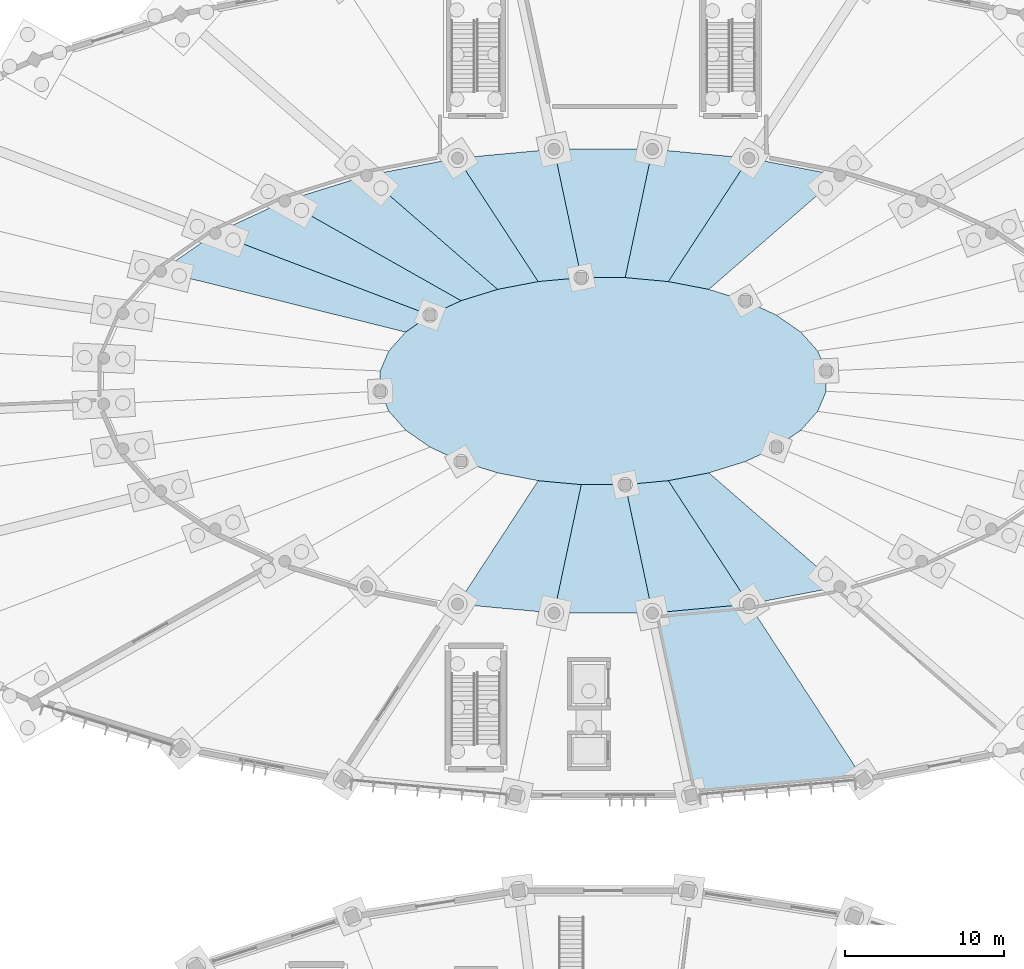
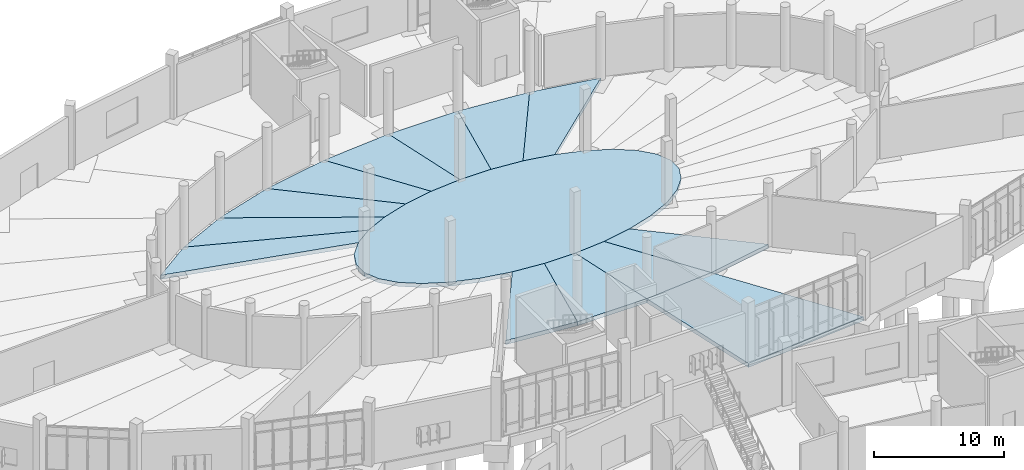
# One storey, part 62 of 140: 14 slabs.
"""IFC4 building model written with IfcOpenShell, lengths in metres."""

from ifc_helpers import new_model, si_unit, direction, frame, origin, place, context, subcontext, project, spatial, polyline, outline, extrude, material, layer, layer_set, type_object, element, save


model = new_model("IFC4")

# Units and contexts
model_context = context("Model", 3, precision=1e-05, world=origin(), true_north=direction((0.0, 1.0)))
body_context = subcontext(model_context, "Body", "Model", "MODEL_VIEW")
ifc_project = project(units=[si_unit("LENGTHUNIT", "METRE"), si_unit("AREAUNIT", "SQUARE_METRE"), si_unit("VOLUMEUNIT", "CUBIC_METRE"), si_unit("PLANEANGLEUNIT", "RADIAN"), si_unit("MASSUNIT", "GRAM", prefix="KILO")], contexts=[model_context])

# Site, building, storey
site_placement = place(None, origin())
site = spatial("IfcSite", under=ifc_project, at=site_placement, CompositionType="ELEMENT")
building_placement = place(site_placement, origin())
building = spatial("IfcBuilding", under=site, at=building_placement, Name="Corvandel Quay Wholesale Market", CompositionType="ELEMENT")
storey_placement = place(building_placement, origin())
storey = spatial("IfcBuildingStorey", under=building, at=storey_placement, Name="L00", CompositionType="ELEMENT", Elevation=0.0)

# Slabs
ifc_material = material(Name="Concrete C40/50", Category="concrete")
ifc_layer = layer(ifc_material, 0.3798828125)
ifc_layer_set = layer_set([ifc_layer], Name="Concrete C40/50")
slab_type = type_object("IfcSlabType", Name="Ground Bearing Fish Hall Slab 380", PredefinedType="BASESLAB", material=ifc_layer_set)
slab_1_placement = place(storey_placement, frame((0.0, 0.0, -0.3798828125)))
element("IfcSlab", 1, at=slab_1_placement, inside=storey, type_object=slab_type, Name="Slab SLB-0207", PredefinedType="BASESLAB", context=body_context, shape_type="SweptSolid", body=[
    extrude(outline(polyline([(128.0, 116.639892578125), (127.4619140625, 117.89599609375), (126.406982421875, 119.0791015625), (124.875, 120.14404296875), (122.924072265625, 121.049072265625), (120.631103515625, 121.760009765625), (118.083984375, 122.25), (115.37890625, 122.5), (112.62109375, 122.5), (109.916015625, 122.25), (107.368896484375, 121.760009765625), (105.075927734375, 121.049072265625), (103.125, 120.14404296875), (101.593017578125, 119.0791015625), (100.5380859375, 117.89599609375), (100.0, 116.639892578125), (100.0, 115.360107421875), (100.5380859375, 114.10400390625), (101.593017578125, 112.9208984375), (103.125, 111.85595703125), (105.075927734375, 110.950927734375), (107.368896484375, 110.239990234375), (109.916015625, 109.75), (112.62109375, 109.5), (115.37890625, 109.5), (118.083984375, 109.75), (120.631103515625, 110.239990234375), (122.924072265625, 110.950927734375), (124.875, 111.85595703125), (126.406982421875, 112.9208984375), (127.4619140625, 114.10400390625), (128.0, 115.360107421875), (128.0, 116.639892578125)])), origin(), (0.0, 0.0, 1.0), 0.3798828125),
])
slab_2_placement = place(storey_placement, frame((0.0, 0.0, -0.3798828125)))
element("IfcSlab", 2, at=slab_2_placement, inside=storey, type_object=slab_type, Name="Slab SLB-0231", PredefinedType="BASESLAB", context=body_context, shape_type="SweptSolid", body=[
    extrude(outline(polyline([(128.85498046875, 128.903076171875), (123.14697265625, 130.0), (118.083984375, 122.25), (120.631103515625, 121.760009765625), (128.85498046875, 128.903076171875)])), origin(), (0.0, 0.0, 1.0), 0.3798828125),
])
slab_3_placement = place(storey_placement, frame((0.0, 0.0, -0.3798828125)))
element("IfcSlab", 3, at=slab_3_placement, inside=storey, type_object=slab_type, Name="Slab SLB-0235", PredefinedType="BASESLAB", context=body_context, shape_type="SweptSolid", body=[
    extrude(outline(polyline([(123.14697265625, 130.0), (117.089111328125, 130.56005859375), (115.37890625, 122.5), (118.083984375, 122.25), (123.14697265625, 130.0)])), origin(), (0.0, 0.0, 1.0), 0.3798828125),
])
slab_4_placement = place(storey_placement, frame((0.0, 0.0, -0.3798828125)))
element("IfcSlab", 4, at=slab_4_placement, inside=storey, type_object=slab_type, Name="Slab SLB-0241", PredefinedType="BASESLAB", context=body_context, shape_type="SweptSolid", body=[
    extrude(outline(polyline([(117.089111328125, 130.56005859375), (110.910888671875, 130.56005859375), (112.62109375, 122.5), (115.37890625, 122.5), (117.089111328125, 130.56005859375)])), origin(), (0.0, 0.0, 1.0), 0.3798828125),
])
slab_5_placement = place(storey_placement, frame((0.0, 0.0, -0.3798828125)))
element("IfcSlab", 5, at=slab_5_placement, inside=storey, type_object=slab_type, Name="Slab SLB-0247", PredefinedType="BASESLAB", context=body_context, shape_type="SweptSolid", body=[
    extrude(outline(polyline([(110.910888671875, 130.56005859375), (104.85302734375, 130.0), (109.916015625, 122.25), (112.62109375, 122.5), (110.910888671875, 130.56005859375)])), origin(), (0.0, 0.0, 1.0), 0.3798828125),
])
slab_6_placement = place(storey_placement, frame((0.0, 0.0, -0.3798828125)))
element("IfcSlab", 6, at=slab_6_placement, inside=storey, type_object=slab_type, Name="Slab SLB-0253", PredefinedType="BASESLAB", context=body_context, shape_type="SweptSolid", body=[
    extrude(outline(polyline([(104.85302734375, 130.0), (99.14501953125, 128.903076171875), (107.368896484375, 121.760009765625), (109.916015625, 122.25), (104.85302734375, 130.0)])), origin(), (0.0, 0.0, 1.0), 0.3798828125),
])
slab_7_placement = place(storey_placement, frame((0.0, 0.0, -0.3798828125)))
element("IfcSlab", 7, at=slab_7_placement, inside=storey, type_object=slab_type, Name="Slab SLB-0259", PredefinedType="BASESLAB", context=body_context, shape_type="SweptSolid", body=[
    extrude(outline(polyline([(99.14501953125, 128.903076171875), (94.009033203125, 127.30908203125), (105.075927734375, 121.049072265625), (107.368896484375, 121.760009765625), (99.14501953125, 128.903076171875)])), origin(), (0.0, 0.0, 1.0), 0.3798828125),
])
slab_8_placement = place(storey_placement, frame((0.0, 0.0, -0.3798828125)))
element("IfcSlab", 8, at=slab_8_placement, inside=storey, type_object=slab_type, Name="Slab SLB-0265", PredefinedType="BASESLAB", context=body_context, shape_type="SweptSolid", body=[
    extrude(outline(polyline([(94.009033203125, 127.30908203125), (89.64111328125, 125.281005859375), (103.125, 120.14404296875), (105.075927734375, 121.049072265625), (94.009033203125, 127.30908203125)])), origin(), (0.0, 0.0, 1.0), 0.3798828125),
])
slab_9_placement = place(storey_placement, frame((0.0, 0.0, -0.3798828125)))
element("IfcSlab", 9, at=slab_9_placement, inside=storey, type_object=slab_type, Name="Slab SLB-0271", PredefinedType="BASESLAB", context=body_context, shape_type="SweptSolid", body=[
    extrude(outline(polyline([(89.64111328125, 125.281005859375), (86.208984375, 122.89697265625), (101.593017578125, 119.0791015625), (103.125, 120.14404296875), (89.64111328125, 125.281005859375)])), origin(), (0.0, 0.0, 1.0), 0.3798828125),
])
slab_10_placement = place(storey_placement, frame((0.0, 0.0, -0.3798828125)))
element("IfcSlab", 10, at=slab_10_placement, inside=storey, type_object=slab_type, Name="Slab SLB-0331", PredefinedType="BASESLAB", context=body_context, shape_type="SweptSolid", body=[
    extrude(outline(polyline([(104.85302734375, 102.0), (110.910888671875, 101.43994140625), (112.62109375, 109.5), (109.916015625, 109.75), (104.85302734375, 102.0)])), origin(), (0.0, 0.0, 1.0), 0.3798828125),
])
slab_11_placement = place(storey_placement, frame((0.0, 0.0, -0.3798828125)))
element("IfcSlab", 11, at=slab_11_placement, inside=storey, type_object=slab_type, Name="Slab SLB-0337", PredefinedType="BASESLAB", context=body_context, shape_type="SweptSolid", body=[
    extrude(outline(polyline([(110.910888671875, 101.43994140625), (117.089111328125, 101.43994140625), (115.37890625, 109.5), (112.62109375, 109.5), (110.910888671875, 101.43994140625)])), origin(), (0.0, 0.0, 1.0), 0.3798828125),
])
slab_12_placement = place(storey_placement, frame((0.0, 0.0, -0.3798828125)))
element("IfcSlab", 12, at=slab_12_placement, inside=storey, type_object=slab_type, Name="Slab SLB-0342", PredefinedType="BASESLAB", context=body_context, shape_type="SweptSolid", body=[
    extrude(outline(polyline([(119.51611328125, 90.0), (130.3349609375, 90.9990234375), (123.14697265625, 102.0), (117.089111328125, 101.43994140625), (119.51611328125, 90.0)])), origin(), (0.0, 0.0, 1.0), 0.3798828125),
])
slab_13_placement = place(storey_placement, frame((0.0, 0.0, -0.3798828125)))
element("IfcSlab", 13, at=slab_13_placement, inside=storey, type_object=slab_type, Name="Slab SLB-0343", PredefinedType="BASESLAB", context=body_context, shape_type="SweptSolid", body=[
    extrude(outline(polyline([(117.089111328125, 101.43994140625), (123.14697265625, 102.0), (118.083984375, 109.75), (115.37890625, 109.5), (117.089111328125, 101.43994140625)])), origin(), (0.0, 0.0, 1.0), 0.3798828125),
])
slab_14_placement = place(storey_placement, frame((0.0, 0.0, -0.3798828125)))
element("IfcSlab", 14, at=slab_14_placement, inside=storey, type_object=slab_type, Name="Slab SLB-0349", PredefinedType="BASESLAB", context=body_context, shape_type="SweptSolid", body=[
    extrude(outline(polyline([(123.14697265625, 102.0), (128.85498046875, 103.096923828125), (120.631103515625, 110.239990234375), (118.083984375, 109.75), (123.14697265625, 102.0)])), origin(), (0.0, 0.0, 1.0), 0.3798828125),
])

save(model, "model.ifc")
